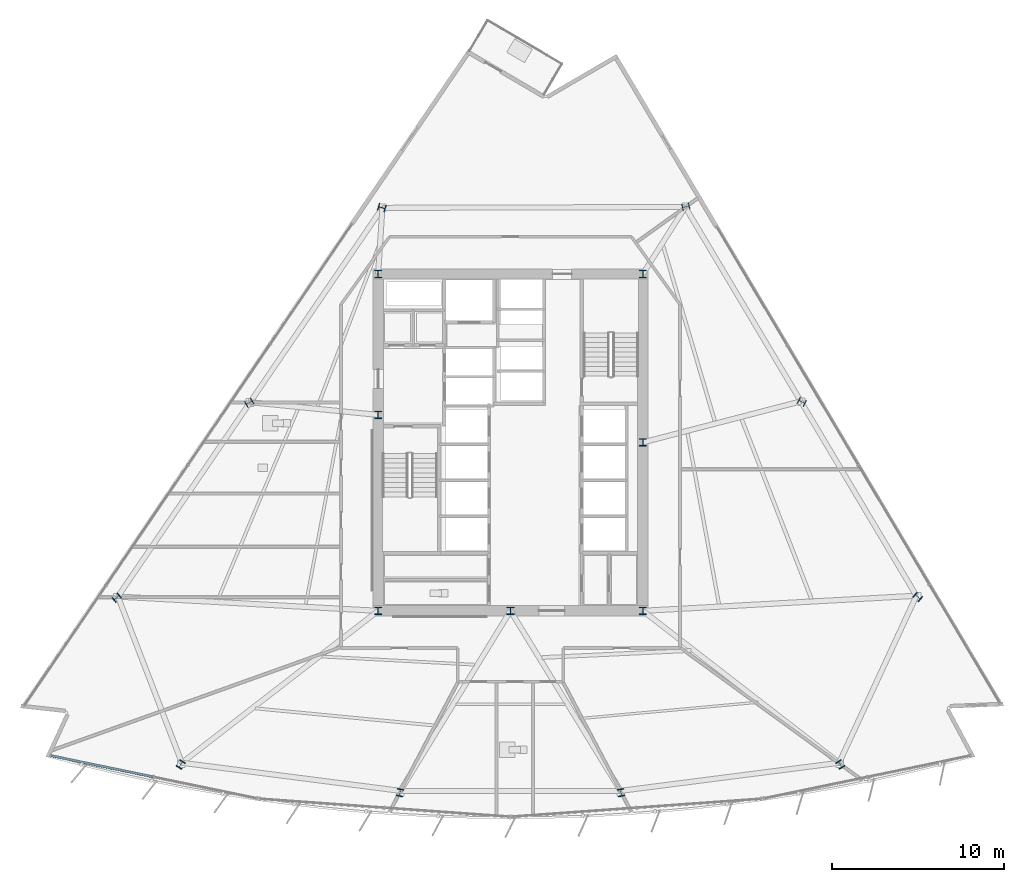
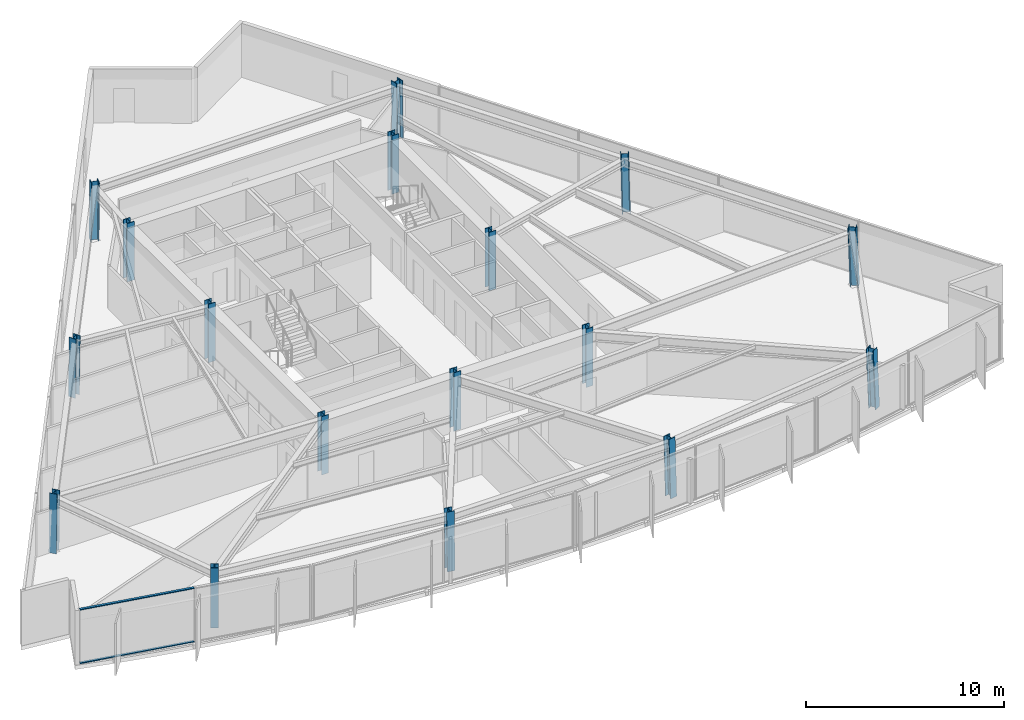
# One storey, part 1 of 15: 17 columns, 2 members, 1 element without a shape of its own.
"""IFC4 building model written with IfcOpenShell, lengths in metres."""

import ifcopenshell
import ifcopenshell.guid

model = None  # the IFC model being written
_history = None  # IfcOwnerHistory: only IFC2X3 demands one
_inside = {}  # id of a spatial element -> (the spatial element, [elements in it])
_under = {}  # id of a project, library or spatial element -> (it, [spatial elements below it])
_declared = {}  # id of a project -> (the project, [libraries it declares])
_typed = {}  # id of a type object -> (the type object, [elements of that type])
_made_of = {}  # id of a material, layer set ... -> (it, [elements and type objects made of it])


def new_model(schema):
    """Start an empty IFC model of exactly this schema.

    Asked for "IFC4X3", IfcOpenShell would pick the latest addendum, in which some entities
    have other attributes; the version numbers below select the first issue.
    IFC2X3 requires an IfcOwnerHistory on every rooted entity: one is made here for all.
    """
    global model, _history
    if schema == "IFC4X3":
        model = ifcopenshell.file(schema_version=(4, 3, 0, 0))
    else:
        model = ifcopenshell.file(schema=schema)
    _inside.clear()
    _under.clear()
    _declared.clear()
    _typed.clear()
    _made_of.clear()
    _history = None
    if model.schema == "IFC2X3":
        org = make("IfcOrganization", Name="unknown")
        user = make(
            "IfcPersonAndOrganization",
            ThePerson=make("IfcPerson", FamilyName="unknown"),
            TheOrganization=org,
        )
        app = make(
            "IfcApplication",
            ApplicationDeveloper=org,
            Version="unknown",
            ApplicationFullName="unknown",
            ApplicationIdentifier="unknown",
        )
        _history = make(
            "IfcOwnerHistory",
            OwningUser=user,
            OwningApplication=app,
            ChangeAction="ADDED",
            CreationDate=0,
        )
    return model


def make(cls, **values):
    """One entity of the class cls with the attributes given. An attribute that is None is left unset."""
    return model.create_entity(
        cls, **{name: value for name, value in values.items() if value is not None}
    )


def rooted(cls, **values):
    """An entity with a GlobalId (a new one), such as an element, a storey or a relation."""
    return make(cls, GlobalId=ifcopenshell.guid.new(), OwnerHistory=_history, **values)


def si_unit(unit_type, name, prefix=None):
    """IfcSIUnit, for example si_unit("LENGTHUNIT", "METRE", prefix="MILLI")."""
    return make("IfcSIUnit", UnitType=unit_type, Prefix=prefix, Name=name)


def assignment(units):
    """IfcUnitAssignment: the units of a project."""
    return None if units is None else make("IfcUnitAssignment", Units=units)


def point(xyz):
    """IfcCartesianPoint."""
    return None if xyz is None else make("IfcCartesianPoint", Coordinates=xyz)


def direction(xyz):
    """IfcDirection."""
    return None if xyz is None else make("IfcDirection", DirectionRatios=xyz)


def frame(location, z_axis=None, x_axis=None):
    """IfcAxis2Placement3D, a coordinate frame: its origin and axes. An axis left out is left unset."""
    return make(
        "IfcAxis2Placement3D",
        Location=point(location),
        Axis=direction(z_axis),
        RefDirection=direction(x_axis),
    )


def frame_2d(location, x_axis=None):
    """IfcAxis2Placement2D, a coordinate frame in the plane: its origin and x axis."""
    return make(
        "IfcAxis2Placement2D", Location=point(location), RefDirection=direction(x_axis)
    )


def origin():
    """The frame at (0, 0, 0) with its axes left unset."""
    return frame((0.0, 0.0, 0.0))


def origin_2d():
    """The frame at (0, 0) in the plane with its x axis left unset."""
    return frame_2d((0.0, 0.0))


def place(relative_to, where):
    """IfcLocalPlacement: puts the frame where relative to a parent placement (None: the world)."""
    return make(
        "IfcLocalPlacement", PlacementRelTo=relative_to, RelativePlacement=where
    )


def context(
    kind, dimensions, precision=None, world=None, true_north=None, identifier=None
):
    """IfcGeometricRepresentationContext, for example the 3D "Model" context."""
    return make(
        "IfcGeometricRepresentationContext",
        ContextIdentifier=identifier,
        ContextType=kind,
        CoordinateSpaceDimension=dimensions,
        Precision=precision,
        WorldCoordinateSystem=world,
        TrueNorth=true_north,
    )


def subcontext(parent, identifier, kind, view, scale=None):
    """IfcGeometricRepresentationSubContext, for example "Body" below "Model"."""
    return make(
        "IfcGeometricRepresentationSubContext",
        ContextIdentifier=identifier,
        ContextType=kind,
        ParentContext=parent,
        TargetScale=scale,
        TargetView=view,
    )


def project(units=None, contexts=None):
    """IfcProject with its units and contexts."""
    return rooted(
        "IfcProject",
        Name="project",
        RepresentationContexts=contexts,
        UnitsInContext=assignment(units),
    )


def spatial(cls, under=None, at=None, **own):
    """A site, building, storey or space (cls), placed at a placement, below another one or the project."""
    s = rooted(cls, ObjectPlacement=at, **own)
    if under is not None:
        _under.setdefault(under.id(), (under, []))[1].append(s)
    return s


def profile(cls, at=None, kind="AREA", **sizes):
    """A parametric profile (cls). Its sizes go by their IFC names, for example OverallWidth=200.0."""
    return make(cls, ProfileType=kind, Position=at, **sizes)


def rectangle(**sizes):
    """IfcRectangleProfileDef."""
    return profile("IfcRectangleProfileDef", **sizes)


def i_section(**sizes):
    """IfcIShapeProfileDef."""
    return profile("IfcIShapeProfileDef", **sizes)


def extrude(swept, where, along, depth):
    """IfcExtrudedAreaSolid: the profile swept, set in the frame where, extruded along a direction by depth."""
    return make(
        "IfcExtrudedAreaSolid",
        SweptArea=swept,
        Position=where,
        ExtrudedDirection=direction(along),
        Depth=depth,
    )


def shape(context_of_items, identifier, shape_type, items):
    """IfcShapeRepresentation: the items that make up one representation, for example the "Body"."""
    return make(
        "IfcShapeRepresentation",
        ContextOfItems=context_of_items,
        RepresentationIdentifier=identifier,
        RepresentationType=shape_type,
        Items=items,
    )


def material(Name=None, Category=None):
    """IfcMaterial."""
    return make("IfcMaterial", Name=Name, Category=Category)


def material_profile(
    of_material, cross_section, Name=None, Category=None, Priority=None
):
    """IfcMaterialProfile: a cross section and its material."""
    return make(
        "IfcMaterialProfile",
        Name=Name,
        Material=of_material,
        Profile=cross_section,
        Priority=Priority,
        Category=Category,
    )


def profile_set(profiles, Name=None, composite=None):
    """IfcMaterialProfileSet."""
    return make(
        "IfcMaterialProfileSet",
        Name=Name,
        MaterialProfiles=profiles,
        CompositeProfile=composite,
    )


def made_of(thing, what):
    """Note that an element or type object is made of a material, layer set ...; save() writes the relation."""
    if what is not None:
        _made_of.setdefault(what.id(), (what, []))[1].append(thing)
    return thing


def type_object(cls, material=None, **own):
    """A type object (cls), such as IfcWallType, which elements share."""
    return made_of(rooted(cls, **own), material)


def element(
    cls,
    number,
    at=None,
    inside=None,
    cuts=None,
    type_object=None,
    material=None,
    context=None,
    identifier="Body",
    shape_type=None,
    held_by="IfcProductDefinitionShape",
    body=None,
    shapes=None,
    **own,
):
    """One element of the class cls, such as IfcWall. Its Tag is "e" and its number.

    at: its placement. inside: the storey or other place that contains it. cuts: it is an
    opening in that element (IfcRelVoidsElement). A single representation is given by context,
    identifier, shape_type and body (its items); several are given by shapes. held_by: the class
    of the entity that holds the representations. save() writes the other relations.
    """
    e = rooted(cls, Tag="e%d" % number, ObjectPlacement=at, **own)
    if body is not None:
        shapes = [shape(context, identifier, shape_type, body)]
    if shapes is not None:
        e.Representation = make(held_by, Representations=shapes)
    if inside is not None:
        _inside.setdefault(inside.id(), (inside, []))[1].append(e)
    if cuts is not None:
        rooted(
            "IfcRelVoidsElement", RelatingBuildingElement=cuts, RelatedOpeningElement=e
        )
    if type_object is not None:
        _typed.setdefault(type_object.id(), (type_object, []))[1].append(e)
    return made_of(e, material)


def aggregate(whole, parts):
    """IfcRelAggregates: a whole, such as a stair, and the parts it consists of."""
    return rooted("IfcRelAggregates", RelatingObject=whole, RelatedObjects=parts)


def save(model, path):
    """Write the relations noted so far, then the file.

    IfcRelAggregates (storeys below a building ...), IfcRelContainedInSpatialStructure (elements
    in a storey), IfcRelDefinesByType, IfcRelAssociatesMaterial and IfcRelDeclares: one each for
    every whole, place, type object, material and project.
    """
    for whole, parts in _under.values():
        aggregate(whole, parts)
    for where, things in _inside.values():
        rooted(
            "IfcRelContainedInSpatialStructure",
            RelatedElements=things,
            RelatingStructure=where,
        )
    for kind, things in _typed.values():
        rooted("IfcRelDefinesByType", RelatedObjects=things, RelatingType=kind)
    for what, things in _made_of.values():
        rooted("IfcRelAssociatesMaterial", RelatedObjects=things, RelatingMaterial=what)
    for by, libraries in _declared.values():
        rooted("IfcRelDeclares", RelatingContext=by, RelatedDefinitions=libraries)
    model.write(path)


model = new_model("IFC4")

# Units and contexts
model_context = context("Model", 3, precision=1e-05, world=origin(), true_north=direction((0.0, 1.0)))
body_context = subcontext(model_context, "Body", "Model", "MODEL_VIEW")
ifc_project = project(units=[si_unit("LENGTHUNIT", "METRE"), si_unit("AREAUNIT", "SQUARE_METRE"), si_unit("VOLUMEUNIT", "CUBIC_METRE"), si_unit("PLANEANGLEUNIT", "RADIAN"), si_unit("MASSUNIT", "GRAM", prefix="KILO")], contexts=[model_context])

# Site, building, storey
site_placement = place(None, origin())
site = spatial("IfcSite", under=ifc_project, at=site_placement, CompositionType="ELEMENT")
building_placement = place(site_placement, origin())
building = spatial("IfcBuilding", under=site, at=building_placement, Name="Savorim Split Tower", CompositionType="ELEMENT")
storey_placement = place(building_placement, frame((0.0, 0.0, 86.10009765625)))
storey = spatial("IfcBuildingStorey", under=building, at=storey_placement, Name="L22", CompositionType="ELEMENT", Elevation=86.10009765625)

# Columns
ifc_material_1 = material(Name="Steel S460", Category="steel")
ifc_material_profile_1 = material_profile(ifc_material_1, i_section(OverallWidth=0.408935546875, OverallDepth=0.425048828125, WebThickness=0.020751953125, FlangeThickness=0.033935546875, FilletRadius=0.014892578125, at=origin_2d()), Name="HD 400x421")
ifc_profile_set_1 = profile_set([ifc_material_profile_1], Name="Steel S460")
column_type = type_object("IfcColumnType", Name="COL-HD-421", PredefinedType="COLUMN", material=ifc_profile_set_1)
for number, where, z_axis, x_axis, name in (
    (1, (-7.699951171875, -9.39990234375, 0.0), (0.0, 0.0, 1.0), (1.0, 0.0, 0.0), "L22 Core Structural Column TC-C1"),
    (2, (7.699951171875, -9.39990234375, 0.0), (0.0, 0.0, 1.0), (1.0, 0.0, 0.0), "L22 Core Structural Column TC-C2"),
    (3, (7.699951171875, 10.199951171875, 0.0), (0.0, 0.0, 1.0), (1.0, 0.0, 0.0), "L22 Core Structural Column TC-C3"),
    (4, (-7.699951171875, 10.199951171875, 0.0), (0.0, 0.0, 1.0), (1.0, 0.0, 0.0), "L22 Core Structural Column TC-C4"),
    (5, (0.0, -9.39990234375, 0.0), (0.0, 0.0, 1.0), (1.0, 0.0, 0.0), "L22 Core Structural Column TC-C5"),
    (6, (7.699951171875, 0.39990234375, 0.0), (0.0, 0.0, 1.0), (1.0, 0.0, 0.0), "L22 Core Structural Column TC-C6"),
    (7, (-7.699951171875, 2.0, 0.0), (0.0, 0.0, 1.0), (1.0, 0.0, 0.0), "L22 Core Structural Column TC-C7"),
):
    element("IfcColumn", number, at=place(storey_placement, frame(where, z_axis=z_axis, x_axis=x_axis)), inside=storey, type_object=column_type, Name=name, PredefinedType="COLUMN", context=body_context, shape_type="SweptSolid", body=[
        extrude(i_section(OverallWidth=0.408935546875, OverallDepth=0.425048828125, WebThickness=0.020751953125, FlangeThickness=0.033935546875, FilletRadius=0.014892578125, at=origin_2d()), origin(), (0.0, 0.0, 1.0), 3.599853515625),
    ])
column_1_placement = place(storey_placement, frame((-19.1953125, -18.35986328125, 0.00537109375), z_axis=(0.020594893987, 0.033509183946, 0.999226193078), x_axis=(-0.851954850327, 0.523615252838, 0.0)))
element("IfcColumn", 8, at=column_1_placement, inside=storey, type_object=column_type, Name="L22 Tapered Perimeter Column PC-S1", PredefinedType="COLUMN", context=body_context, shape_type="SweptSolid", body=[
    extrude(i_section(OverallWidth=0.408935546875, OverallDepth=0.425048828125, WebThickness=0.020751953125, FlangeThickness=0.033935546875, FilletRadius=0.014892578125, at=origin_2d()), origin(), (0.0, 0.0, 1.0), 3.591796875),
])
for number, where, z_axis, x_axis, name in (
    (9, (-6.433349609375, -19.998291015625, 0.00537109375), (0.006865858153, 0.03521301508, 0.99935624457), (-0.981516643497, 0.191376797284, 0.0), "L22 Tapered Perimeter Column PC-S2"),
    (10, (6.433349609375, -19.998291015625, 0.00537109375), (-0.006865858153, 0.03521301508, 0.99935624457), (-0.981516643497, -0.191376797284, 0.0), "L22 Tapered Perimeter Column PC-S3"),
):
    element("IfcColumn", number, at=place(storey_placement, frame(where, z_axis=z_axis, x_axis=x_axis)), inside=storey, type_object=column_type, Name=name, PredefinedType="COLUMN", context=body_context, shape_type="SweptSolid", body=[
        extrude(i_section(OverallWidth=0.408935546875, OverallDepth=0.425048828125, WebThickness=0.020751953125, FlangeThickness=0.033935546875, FilletRadius=0.014892578125, at=origin_2d()), origin(), (0.0, 0.0, 1.0), 3.59130859375),
    ])
column_2_placement = place(storey_placement, frame((19.1953125, -18.35986328125, 0.00537109375), z_axis=(-0.020594893987, 0.033509183946, 0.999226193078), x_axis=(-0.851954850327, -0.523615252838, 0.0)))
element("IfcColumn", 11, at=column_2_placement, inside=storey, type_object=column_type, Name="L22 Tapered Perimeter Column PC-S4", PredefinedType="COLUMN", context=body_context, shape_type="SweptSolid", body=[
    extrude(i_section(OverallWidth=0.408935546875, OverallDepth=0.425048828125, WebThickness=0.020751953125, FlangeThickness=0.033935546875, FilletRadius=0.014892578125, at=origin_2d()), origin(), (0.0, 0.0, 1.0), 3.591796875),
])
column_3_placement = place(storey_placement, frame((23.708984375, -8.599365234375, 0.00537109375), z_axis=(-0.026105663043, 0.021618752208, 0.999425396871), x_axis=(-0.637813971185, -0.770190455771, 0.0)))
element("IfcColumn", 12, at=column_3_placement, inside=storey, type_object=column_type, Name="L22 Tapered Perimeter Column PC-E1", PredefinedType="COLUMN", context=body_context, shape_type="SweptSolid", body=[
    extrude(i_section(OverallWidth=0.408935546875, OverallDepth=0.425048828125, WebThickness=0.020751953125, FlangeThickness=0.033935546875, FilletRadius=0.014892578125, at=origin_2d()), origin(), (0.0, 0.0, 1.0), 3.591064453125),
])
column_4_placement = place(storey_placement, frame((16.958984375, 2.752197265625, 0.00537109375), z_axis=(-0.018906028715, 0.009589028952, 0.999775281052), x_axis=(-0.452339157861, -0.891845999187, 0.0)))
element("IfcColumn", 13, at=column_4_placement, inside=storey, type_object=column_type, Name="L22 Tapered Perimeter Column PC-E2", PredefinedType="COLUMN", context=body_context, shape_type="SweptSolid", body=[
    extrude(i_section(OverallWidth=0.408935546875, OverallDepth=0.425048828125, WebThickness=0.020751953125, FlangeThickness=0.033935546875, FilletRadius=0.014892578125, at=origin_2d()), origin(), (0.0, 0.0, 1.0), 3.58984375),
])
for number, where, z_axis, x_axis, name in (
    (14, (10.208984375, 14.10400390625, 0.00537109375), (-0.011699044583, -0.00258467264, 0.999928223336), (0.215728093413, -0.976453475447, 0.0), "L22 Tapered Perimeter Column PC-E3"),
    (15, (-7.485107421875, 14.05517578125, 0.00537109375), (0.008774546149, -0.002584750028, 0.999958162328), (0.282568886397, 0.959247009086, 0.0), "L22 Tapered Perimeter Column PC-W1"),
):
    element("IfcColumn", number, at=place(storey_placement, frame(where, z_axis=z_axis, x_axis=x_axis)), inside=storey, type_object=column_type, Name=name, PredefinedType="COLUMN", context=body_context, shape_type="SweptSolid", body=[
        extrude(i_section(OverallWidth=0.408935546875, OverallDepth=0.425048828125, WebThickness=0.020751953125, FlangeThickness=0.033935546875, FilletRadius=0.014892578125, at=origin_2d()), origin(), (0.0, 0.0, 1.0), 3.58935546875),
    ])
column_5_placement = place(storey_placement, frame((-15.20751953125, 2.703369140625, 0.00537109375), z_axis=(0.017070395515, 0.009589345688, 0.99980830465), x_axis=(-0.489766415861, 0.871853690647, 0.0)))
element("IfcColumn", 16, at=column_5_placement, inside=storey, type_object=column_type, Name="L22 Tapered Perimeter Column PC-W2", PredefinedType="COLUMN", context=body_context, shape_type="SweptSolid", body=[
    extrude(i_section(OverallWidth=0.408935546875, OverallDepth=0.425048828125, WebThickness=0.020751953125, FlangeThickness=0.033935546875, FilletRadius=0.014892578125, at=origin_2d()), origin(), (0.0, 0.0, 1.0), 3.58984375),
])
column_6_placement = place(storey_placement, frame((-22.9296875, -8.648193359375, 0.00537109375), z_axis=(0.025222449659, 0.021619242565, 0.999448065876), x_axis=(-0.650791373456, 0.759256602365, 0.0)))
element("IfcColumn", 17, at=column_6_placement, inside=storey, type_object=column_type, Name="L22 Tapered Perimeter Column PC-W3", PredefinedType="COLUMN", context=body_context, shape_type="SweptSolid", body=[
    extrude(i_section(OverallWidth=0.408935546875, OverallDepth=0.425048828125, WebThickness=0.020751953125, FlangeThickness=0.033935546875, FilletRadius=0.014892578125, at=origin_2d()), origin(), (0.0, 0.0, 1.0), 3.591064453125),
])

# Curtain wall, members
ifc_material_2 = material(Name="Dark Ceramic-Fritted Insulated Glass", Category="glass")
curtain_wall_type = type_object("IfcCurtainWallType", Name="CW-TWR-FRIT-A", PredefinedType="NOTDEFINED", material=ifc_material_2)
curtain_wall_placement = place(storey_placement, origin())
curtain_wall = element("IfcCurtainWall", 18, at=curtain_wall_placement, inside=storey, type_object=curtain_wall_type, Name="L22 Curtain Wall CW-L22-SF1", PredefinedType="NOTDEFINED")
ifc_material_3 = material(Name="Charcoal Anodised Aluminium", Category="aluminium")
ifc_material_profile_2 = material_profile(ifc_material_3, rectangle(XDim=0.139892578125, YDim=0.054931640625, at=origin_2d()), Name="ALU-T 140x55")
ifc_profile_set_2 = profile_set([ifc_material_profile_2], Name="Charcoal Anodised Aluminium")
member_type = type_object("IfcMemberType", Name="CWT-140x55", PredefinedType="USERDEFINED", material=ifc_profile_set_2)
member_1_placement = place(storey_placement, frame((-26.7333984375, -17.82373046875, 0.02734375), z_axis=(0.97913534694, -0.203209183781, 0.0), x_axis=(0.203209183781, 0.97913534694, 0.0)))
member_1 = element("IfcMember", 19, at=member_1_placement, type_object=member_type, Name="CW-02 transom 1.1", ObjectType="TRANSOM", PredefinedType="USERDEFINED", context=body_context, shape_type="SweptSolid", body=[
    extrude(rectangle(XDim=0.139892578125, YDim=0.054931640625, at=origin_2d()), origin(), (0.0, 0.0, 1.0), 6.072021484375),
])
member_2_placement = place(storey_placement, frame((-26.7333984375, -17.82373046875, 3.322509765625), z_axis=(0.97913534694, -0.203209183781, 0.0), x_axis=(0.203209183781, 0.97913534694, 0.0)))
member_2 = element("IfcMember", 20, at=member_2_placement, type_object=member_type, Name="CW-02 transom 1.2", ObjectType="TRANSOM", PredefinedType="USERDEFINED", context=body_context, shape_type="SweptSolid", body=[
    extrude(rectangle(XDim=0.139892578125, YDim=0.054931640625, at=origin_2d()), origin(), (0.0, 0.0, 1.0), 6.072021484375),
])
aggregate(curtain_wall, [member_1, member_2])

save(model, "model.ifc")
